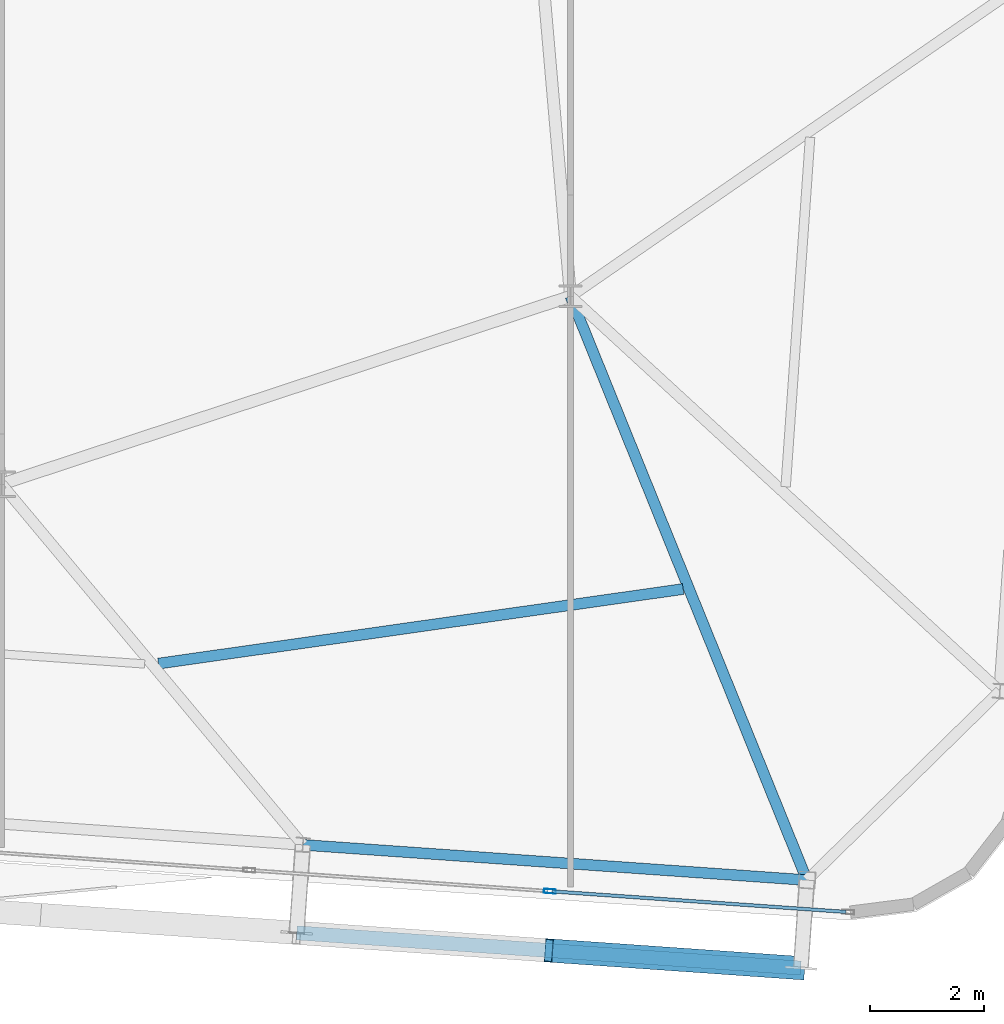
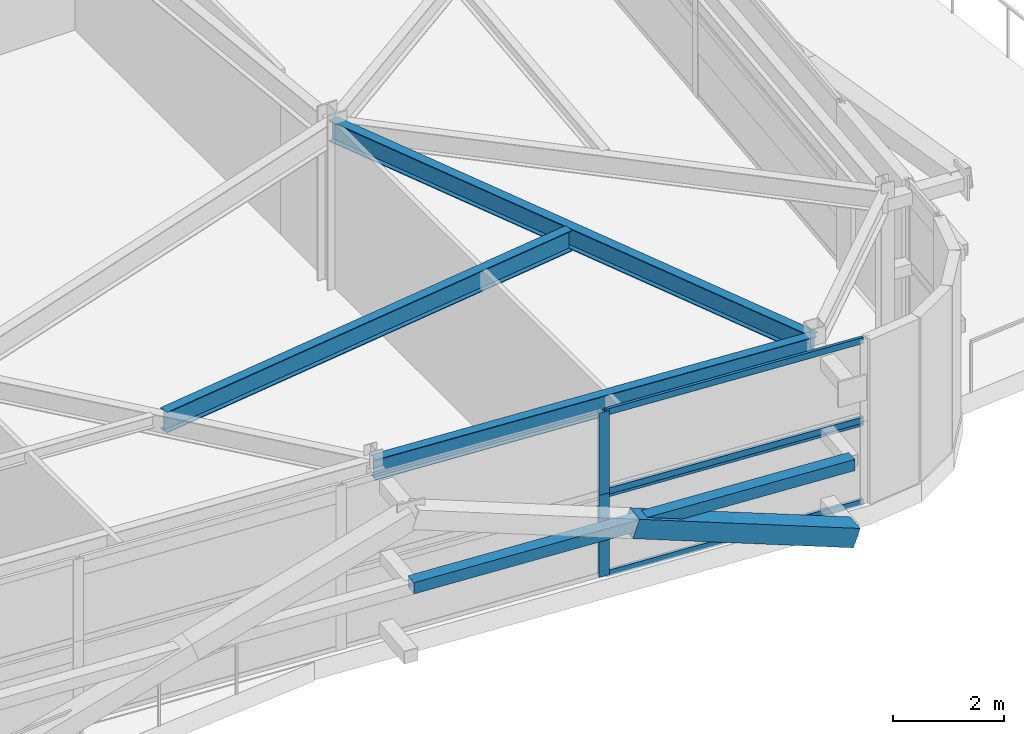
# One storey, part 14 of 36: 8 members, 3 beams, 2 elements without a shape of their own.
"""IFC4 building model written with IfcOpenShell, lengths in metres."""

from ifc_helpers import new_model, si_unit, direction, frame, origin, origin_2d, place, context, subcontext, project, spatial, hollow_rectangle, i_section, extrude, source, transform, mapped, material, layer, layer_set, material_profile, profile_set, type_object, element, aggregate, save


model = new_model("IFC4")

# Units and contexts
model_context = context("Model", 3, precision=1e-05, world=origin(), true_north=direction((0.0, 1.0)))
body_context = subcontext(model_context, "Body", "Model", "MODEL_VIEW")
ifc_project = project(units=[si_unit("LENGTHUNIT", "METRE"), si_unit("AREAUNIT", "SQUARE_METRE"), si_unit("VOLUMEUNIT", "CUBIC_METRE"), si_unit("PLANEANGLEUNIT", "RADIAN"), si_unit("MASSUNIT", "GRAM", prefix="KILO")], contexts=[model_context])

# Site, building, storey
site_placement = place(None, origin())
site = spatial("IfcSite", under=ifc_project, at=site_placement, CompositionType="ELEMENT")
building_placement = place(site_placement, origin())
building = spatial("IfcBuilding", under=site, at=building_placement, Name="Taldren Reach Tower", CompositionType="ELEMENT")
storey_placement = place(building_placement, frame((0.0, 0.0, 116.550048828125)))
storey = spatial("IfcBuildingStorey", under=building, at=storey_placement, Name="L35", CompositionType="ELEMENT", Elevation=116.550048828125)

# Beams
ifc_material_1 = material(Name="Steel Gr 350 (350PLUS)", Category="steel")
ifc_material_profile_1 = material_profile(ifc_material_1, i_section(OverallWidth=0.18994140625, OverallDepth=0.4541015625, WebThickness=0.008544921875, FlangeThickness=0.0126953125, at=origin_2d()), Name="460UB67.1")
ifc_profile_set_1 = profile_set([ifc_material_profile_1], Name="Steel Gr 350 (350PLUS)")
beam_type_1 = type_object("IfcBeamType", Name="SP-UB460B", PredefinedType="SPANDREL", material=ifc_profile_set_1)
shared_shape_1 = source(origin(), body_context, "Body", "SweptSolid", [
    extrude(i_section(OverallWidth=0.18994140625, OverallDepth=0.4541015625, WebThickness=0.008544921875, FlangeThickness=0.0126953125, at=origin_2d()), origin(), (0.0, 0.0, 1.0), 8.880126953125),
])
beam_1_placement = place(storey_placement, frame((47.297119140625, 2.860595703125, 3.40283203125), z_axis=(0.997564479639, -0.069750333063, 0.0), x_axis=(0.069750333063, 0.997564479639, 0.0)))
element("IfcBeam", 1, at=beam_1_placement, inside=storey, type_object=beam_type_1, Name="Perimeter spandrel B3 S5-S6 L35", PredefinedType="SPANDREL", context=body_context, shape_type="MappedRepresentation", body=[
    mapped(shared_shape_1, transform((0.0, 0.0, 0.0), scale=1.0)),
])
ifc_material_profile_2 = material_profile(ifc_material_1, i_section(OverallWidth=0.19091796875, OverallDepth=0.4599609375, WebThickness=0.010009765625, FlangeThickness=0.01611328125, at=origin_2d()), Name="460UB82.1")
ifc_profile_set_2 = profile_set([ifc_material_profile_2], Name="Steel Gr 350 (350PLUS)")
beam_type_2 = type_object("IfcBeamType", Name="BM-UB460A", PredefinedType="BEAM", material=ifc_profile_set_2)
shared_shape_2 = source(origin(), body_context, "Body", "SweptSolid", [
    extrude(i_section(OverallWidth=0.19091796875, OverallDepth=0.4599609375, WebThickness=0.010009765625, FlangeThickness=0.01611328125, at=origin_2d()), origin(), (0.0, 0.0, 1.0), 11.068359375),
])
beam_2_placement = place(storey_placement, frame((52.0, 12.5, 3.39990234375), z_axis=(0.375437319636, -0.92684778633, 0.0), x_axis=(0.92684778633, 0.375437319636, 0.0)))
element("IfcBeam", 2, at=beam_2_placement, inside=storey, type_object=beam_type_2, Name="Primary floor girder B3-S6 L35", PredefinedType="BEAM", context=body_context, shape_type="MappedRepresentation", body=[
    mapped(shared_shape_2, transform((0.0, 0.0, 0.0), scale=1.0)),
])
shared_shape_3 = source(origin(), body_context, "Body", "SweptSolid", [
    extrude(i_section(OverallWidth=0.19091796875, OverallDepth=0.4599609375, WebThickness=0.010009765625, FlangeThickness=0.01611328125, at=origin_2d()), origin(), (0.0, 0.0, 1.0), 9.313232421875),
])
beam_3_placement = place(storey_placement, frame((44.759765625, 6.046142578125, 3.39990234375), z_axis=(0.990049385514, 0.140720340547, 0.0), x_axis=(-0.140720340547, 0.990049385514, 0.0)))
element("IfcBeam", 3, at=beam_3_placement, inside=storey, type_object=beam_type_2, Name="Secondary floor beam B3 J5 L35", PredefinedType="BEAM", context=body_context, shape_type="MappedRepresentation", body=[
    mapped(shared_shape_3, transform((0.0, 0.0, 0.0), scale=1.0)),
])

# Members
ifc_material_2 = material(Name="Steel Gr 450 (C450L0)", Category="steel")
ifc_material_profile_3 = material_profile(ifc_material_2, hollow_rectangle(XDim=0.409912109375, YDim=0.409912109375, WallThickness=0.01611328125, at=origin_2d()), Name="410x410x16.0SHS")
ifc_profile_set_3 = profile_set([ifc_material_profile_3], Name="Steel Gr 450 (C450L0)")
member_type_1 = type_object("IfcMemberType", Name="MB-EXO406", PredefinedType="BRACE", material=ifc_profile_set_3)
shared_shape_4 = source(origin(), body_context, "Body", "SweptSolid", [
    extrude(hollow_rectangle(XDim=0.409912109375, YDim=0.409912109375, WallThickness=0.01611328125, at=origin_2d()), origin(), (0.0, 0.0, 1.0), 4.707763671875),
])
member_1_placement = place(storey_placement, frame((56.04736328125, 0.695068359375, 0.219970703125), z_axis=(-0.940836301296, 0.065757933527, 0.332419837466), x_axis=(-0.069722973508, -0.997566392259, 0.0)))
element("IfcMember", 4, at=member_1_placement, inside=storey, type_object=member_type_1, Name="Exoskeleton Diagrid Brace B3-S5 L35", PredefinedType="BRACE", context=body_context, shape_type="MappedRepresentation", body=[
    mapped(shared_shape_4, transform((0.0, 0.0, 0.0), scale=1.0)),
])
ifc_material_3 = material(Name="Steel Gr 350 (C350L0)", Category="steel")
ifc_material_profile_4 = material_profile(ifc_material_3, hollow_rectangle(XDim=0.25, YDim=0.25, WallThickness=0.010009765625, at=origin_2d()), Name="250x250x10.0SHS")
ifc_profile_set_4 = profile_set([ifc_material_profile_4], Name="Steel Gr 350 (C350L0)")
member_type_2 = type_object("IfcMemberType", Name="MB-POST250", PredefinedType="POST", material=ifc_profile_set_4)
shared_shape_5 = source(origin(), body_context, "Body", "SweptSolid", [
    extrude(hollow_rectangle(XDim=0.25, YDim=0.25, WallThickness=0.010009765625, at=origin_2d()), origin(), (0.0, 0.0, 1.0), 8.880126953125),
])
member_2_placement = place(storey_placement, frame((47.18896484375, 1.314453125, 1.784912109375), z_axis=(0.997564479639, -0.069750333063, 0.0), x_axis=(0.069750333063, 0.997564479639, 0.0)))
element("IfcMember", 5, at=member_2_placement, inside=storey, type_object=member_type_2, Name="Exoskeleton mid-height ring chord B3-S5 L35", PredefinedType="POST", context=body_context, shape_type="MappedRepresentation", body=[
    mapped(shared_shape_5, transform((0.0, 0.0, 0.0), scale=1.0)),
])

# Curtain wall, member
ifc_material_4 = material(Name="Aluminium and Low-E Glass Unitised System", Category="aluminium")
ifc_layer = layer(ifc_material_4, 0.159912109375)
ifc_layer_set = layer_set([ifc_layer], Name="Aluminium and Low-E Glass Unitised System")
curtain_wall_type = type_object("IfcCurtainWallType", Name="CW-SYS-7", PredefinedType="NOTDEFINED", material=ifc_layer_set)
curtain_wall_1_placement = place(storey_placement, origin())
curtain_wall_1 = element("IfcCurtainWall", 6, at=curtain_wall_1_placement, inside=storey, type_object=curtain_wall_type, Name="Unitised curtain wall CW-L35-S2", PredefinedType="NOTDEFINED")
ifc_material_5 = material(Name="Anodised Aluminium 6063-T6", Category="aluminium")
ifc_material_profile_5 = material_profile(ifc_material_5, hollow_rectangle(XDim=0.074951171875, YDim=0.2099609375, WallThickness=0.00439453125, at=origin_2d()), Name="ALU-210x75x4.5RHS")
ifc_profile_set_5 = profile_set([ifc_material_profile_5], Name="Anodised Aluminium 6063-T6")
member_type_3 = type_object("IfcMemberType", Name="CW-MUL-200", PredefinedType="MULLION", material=ifc_profile_set_5)
shared_shape_6 = source(origin(), body_context, "Body", "SweptSolid", [
    extrude(hollow_rectangle(XDim=0.074951171875, YDim=0.2099609375, WallThickness=0.00439453125, at=origin_2d()), origin(), (0.0, 0.0, 1.0), 1.81494140625),
])
member_3_placement = place(storey_placement, frame((51.636962890625, 2.0458984375, 0.0), z_axis=(0.0, 0.0, 1.0), x_axis=(0.069756548088, 0.997564045061, 0.0)))
member_3 = element("IfcMember", 7, at=member_3_placement, type_object=member_type_3, Name="CW-7 mullion 8", PredefinedType="MULLION", context=body_context, shape_type="MappedRepresentation", body=[
    mapped(shared_shape_6, transform((0.0, 0.0, 0.0), scale=1.0)),
])

curtain_wall_2_placement = place(storey_placement, origin())
curtain_wall_2 = element("IfcCurtainWall", 8, at=curtain_wall_2_placement, inside=storey, type_object=curtain_wall_type, Name="Unitised curtain wall CW-L35-S2-T2", PredefinedType="NOTDEFINED")
member_4_placement = place(storey_placement, frame((51.636962890625, 2.0458984375, 1.81494140625), z_axis=(0.0, 0.0, 1.0), x_axis=(0.069756548088, 0.997564045061, 0.0)))
member_4 = element("IfcMember", 9, at=member_4_placement, type_object=member_type_3, Name="CW-7 mullion 8", PredefinedType="MULLION", context=body_context, shape_type="MappedRepresentation", body=[
    mapped(shared_shape_6, transform((0.0, 0.0, 0.0), scale=1.0)),
])

# Member
ifc_material_profile_6 = material_profile(ifc_material_5, hollow_rectangle(XDim=0.06005859375, YDim=0.135009765625, WallThickness=0.00341796875, at=origin_2d()), Name="ALU-135x60x3.5RHS")
ifc_profile_set_6 = profile_set([ifc_material_profile_6], Name="Anodised Aluminium 6063-T6")
member_type_4 = type_object("IfcMemberType", Name="CW-TRN-150", PredefinedType="USERDEFINED", material=ifc_profile_set_6)
shared_shape_7 = source(origin(), body_context, "Body", "SweptSolid", [
    extrude(hollow_rectangle(XDim=0.06005859375, YDim=0.135009765625, WallThickness=0.00341796875, at=origin_2d()), origin(), (0.0, 0.0, 1.0), 5.181396484375),
])
member_5_placement = place(storey_placement, frame((51.67431640625, 2.043212890625, 0.030029296875), z_axis=(0.99756542895, -0.069736754752, 0.0), x_axis=(0.069736754752, 0.99756542895, 0.0)))
member_5 = element("IfcMember", 10, at=member_5_placement, type_object=member_type_4, Name="CW-7 transom 8.1", ObjectType="TRANSOM", PredefinedType="USERDEFINED", context=body_context, shape_type="MappedRepresentation", body=[
    mapped(shared_shape_7, transform((0.0, 0.0, 0.0), scale=1.0)),
])

member_6_placement = place(storey_placement, frame((51.67431640625, 2.043212890625, 1.784912109375), z_axis=(0.99756542895, -0.069736754752, 0.0), x_axis=(0.069736754752, 0.99756542895, 0.0)))
member_6 = element("IfcMember", 11, at=member_6_placement, type_object=member_type_4, Name="CW-7 transom 8.2", ObjectType="TRANSOM", PredefinedType="USERDEFINED", context=body_context, shape_type="MappedRepresentation", body=[
    mapped(shared_shape_7, transform((0.0, 0.0, 0.0), scale=1.0)),
])

aggregate(curtain_wall_1, [member_3, member_5, member_6])

member_7_placement = place(storey_placement, frame((51.67431640625, 2.043212890625, 1.844970703125), z_axis=(0.99756542895, -0.069736754752, 0.0), x_axis=(0.069736754752, 0.99756542895, 0.0)))
member_7 = element("IfcMember", 12, at=member_7_placement, type_object=member_type_4, Name="CW-7 transom 8.1", ObjectType="TRANSOM", PredefinedType="USERDEFINED", context=body_context, shape_type="MappedRepresentation", body=[
    mapped(shared_shape_7, transform((0.0, 0.0, 0.0), scale=1.0)),
])

member_8_placement = place(storey_placement, frame((51.67431640625, 2.043212890625, 3.599853515625), z_axis=(0.99756542895, -0.069736754752, 0.0), x_axis=(0.069736754752, 0.99756542895, 0.0)))
member_8 = element("IfcMember", 13, at=member_8_placement, type_object=member_type_4, Name="CW-7 transom 8.2", ObjectType="TRANSOM", PredefinedType="USERDEFINED", context=body_context, shape_type="MappedRepresentation", body=[
    mapped(shared_shape_7, transform((0.0, 0.0, 0.0), scale=1.0)),
])

aggregate(curtain_wall_2, [member_4, member_7, member_8])

save(model, "model.ifc")
